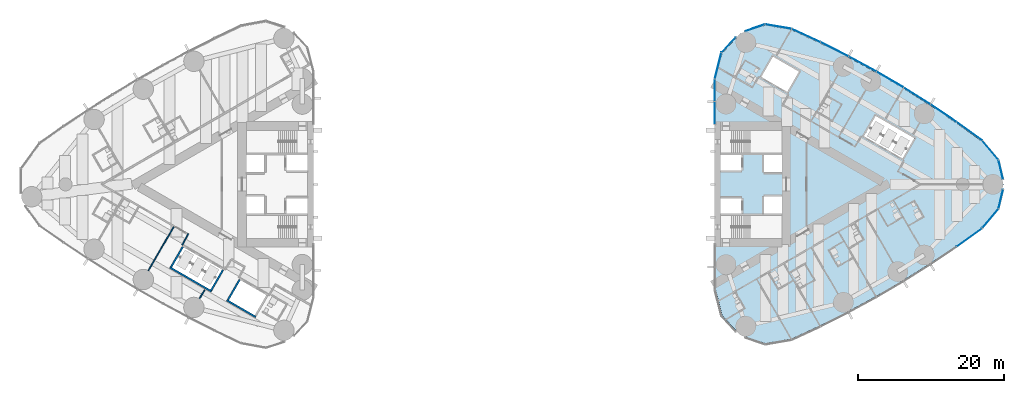
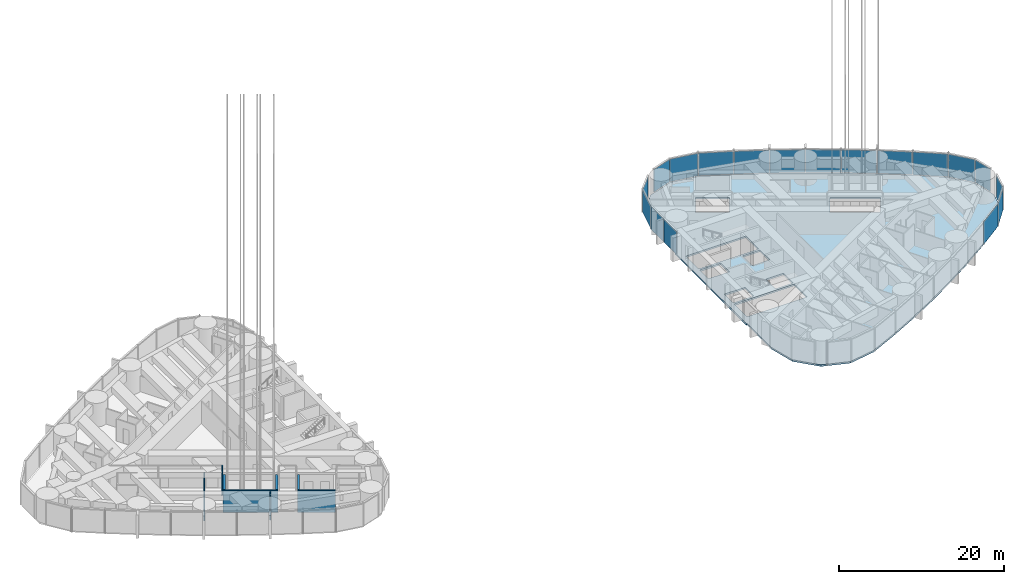
# One storey, part 11 of 21: 18 plates, 8 walls, 1 slab, 3 elements without a shape of their own.
"""IFC4 building model written with IfcOpenShell, lengths in metres."""

from ifc_helpers import new_model, si_unit, direction, frame, frame_2d, origin, origin_2d, place, context, subcontext, project, spatial, polyline, rectangle, outline, extrude, material, layer, layer_set, type_object, element, aggregate, save


model = new_model("IFC4")

# Units and contexts
model_context = context("Model", 3, precision=1e-05, world=origin(), true_north=direction((0.0, 1.0)))
body_context = subcontext(model_context, "Body", "Model", "MODEL_VIEW")
ifc_project = project(units=[si_unit("LENGTHUNIT", "METRE"), si_unit("AREAUNIT", "SQUARE_METRE"), si_unit("VOLUMEUNIT", "CUBIC_METRE"), si_unit("PLANEANGLEUNIT", "RADIAN"), si_unit("MASSUNIT", "GRAM", prefix="KILO")], contexts=[model_context])

# Site, building, storey
site_placement = place(None, origin())
site = spatial("IfcSite", under=ifc_project, at=site_placement, CompositionType="ELEMENT")
building_placement = place(site_placement, origin())
building = spatial("IfcBuilding", under=site, at=building_placement, Name="Lancet Gate Hotel", CompositionType="ELEMENT")
storey_placement = place(building_placement, frame((0.0, 0.0, 156.300048828125)))
storey = spatial("IfcBuildingStorey", under=building, at=storey_placement, Name="L41", CompositionType="ELEMENT", Elevation=156.300048828125)

# Slab
ifc_material_1 = material(Name="Concrete C50/60", Category="concrete")
ifc_layer_1 = layer(ifc_material_1, 0.25)
ifc_layer_set_1 = layer_set([ifc_layer_1], Name="Floor slab 250")
slab_type = type_object("IfcSlabType", Name="Floor slab 250", PredefinedType="FLOOR", material=ifc_layer_set_1)
slab_placement = place(storey_placement, frame((0.0, 0.0, -0.25)))
element("IfcSlab", 1, at=slab_placement, inside=storey, type_object=slab_type, Name="T2 L41 floor slab", PredefinedType="FLOOR", context=body_context, shape_type="SweptSolid", body=[
    extrude(outline(polyline([(27.5, -8.60009765625), (27.6201171875, -8.60009765625), (27.6201171875, -14.450439453125), (28.517822265625, -17.9853515625), (30.98291015625, -20.65185546875), (34.421875, -21.819091796875), (38.01513671875, -21.201171875), (41.9296875, -19.383056640625), (45.796875, -17.435302734375), (49.6005859375, -15.36572265625), (53.336669921875, -13.1767578125), (57.00146484375, -10.87060546875), (60.591552734375, -8.44921875), (64.092041015625, -5.9228515625), (66.283447265625, -3.307373046875), (67.06640625, 0.0), (66.283447265625, 3.307373046875), (64.092041015625, 5.9228515625), (60.591552734375, 8.44921875), (57.00146484375, 10.87060546875), (53.336669921875, 13.1767578125), (49.6005859375, 15.36572265625), (45.796875, 17.435302734375), (41.9296875, 19.383056640625), (38.01513671875, 21.201171875), (34.421875, 21.819091796875), (30.98291015625, 20.65185546875), (28.517822265625, 17.9853515625), (27.6201171875, 14.450439453125), (27.6201171875, 8.60009765625), (27.5, 8.60009765625), (27.5, 8.199951171875), (27.5, -8.199951171875), (27.5, -8.60009765625)]), holes=[polyline([(36.699951171875, -7.39990234375), (36.699951171875, -4.300048828125), (28.300048828125, -4.300048828125), (28.300048828125, -7.39990234375), (36.699951171875, -7.39990234375)]), polyline([(28.300048828125, -4.0), (31.199951171875, -4.0), (31.199951171875, -1.89990234375), (28.300048828125, -1.89990234375), (28.300048828125, -4.0)]), polyline([(34.25, -4.0), (36.699951171875, -4.0), (36.699951171875, -1.64990234375), (34.25, -1.64990234375), (34.25, -4.0)]), polyline([(36.699951171875, 1.64990234375), (36.699951171875, 4.0), (34.25, 4.0), (34.25, 1.64990234375), (36.699951171875, 1.64990234375)]), polyline([(28.300048828125, 1.89990234375), (31.199951171875, 1.89990234375), (31.199951171875, 4.0), (28.300048828125, 4.0), (28.300048828125, 1.89990234375)]), polyline([(28.300048828125, 4.300048828125), (36.699951171875, 4.300048828125), (36.699951171875, 7.39990234375), (28.300048828125, 7.39990234375), (28.300048828125, 4.300048828125)]), polyline([(47.9609375, 6.60595703125), (53.242919921875, 3.555908203125), (54.843017578125, 6.326904296875), (49.56103515625, 9.376953125), (47.9609375, 6.60595703125)]), polyline([(33.887939453125, 14.73095703125), (37.43798828125, 12.680908203125), (39.0380859375, 15.451904296875), (35.488037109375, 17.501953125), (33.887939453125, 14.73095703125)])]), origin(), (0.0, 0.0, 1.0), 0.25),
])

# Curtain wall, plates
ifc_material_2 = material(Name="Aluminium curtain wall", Category="aluminium")
curtain_wall_type = type_object("IfcCurtainWallType", Name="Tower unitised curtain wall", PredefinedType="USERDEFINED", material=ifc_material_2)
curtain_wall_1_placement = place(storey_placement, origin())
curtain_wall_1 = element("IfcCurtainWall", 2, at=curtain_wall_1_placement, inside=storey, type_object=curtain_wall_type, Name="T2 L41 curtain wall 2", ObjectType="UNITISED CURTAIN WALL", PredefinedType="USERDEFINED")
ifc_material_3 = material(Name="Glass double glazed unit 8-16-6", Category="glass")
ifc_layer_2 = layer(ifc_material_3, 0.030029296875)
ifc_layer_set_2 = layer_set([ifc_layer_2], Name="Vision panel double glazed")
plate_type = type_object("IfcPlateType", Name="Vision panel double glazed", PredefinedType="CURTAIN_PANEL", material=ifc_layer_set_2)
plate_1_placement = place(storey_placement, frame((62.417236328125, -7.279541015625, 0.0), z_axis=(0.0, 0.0, 1.0), x_axis=(0.810891442127, 0.585196607206, 0.0)))
plate_1 = element("IfcPlate", 3, at=plate_1_placement, type_object=plate_type, Name="T2 L41 curtain wall 2 panel 9", PredefinedType="CURTAIN_PANEL", context=body_context, shape_type="SweptSolid", body=[
    extrude(rectangle(XDim=4.26904296875, YDim=0.030029296875, at=origin_2d()), origin(), (0.0, 0.0, 1.0), 3.35009765625),
])
plate_2_placement = place(storey_placement, frame((65.283935546875, -4.68701171875, 0.0), z_axis=(0.0, 0.0, 1.0), x_axis=(0.642198636854, 0.766538264422, 0.0)))
plate_2 = element("IfcPlate", 4, at=plate_2_placement, type_object=plate_type, Name="T2 L41 curtain wall 2 panel 10", PredefinedType="CURTAIN_PANEL", context=body_context, shape_type="SweptSolid", body=[
    extrude(rectangle(XDim=3.390380859375, YDim=0.030029296875, at=origin_2d()), origin(), (0.0, 0.0, 1.0), 3.35009765625),
])
plate_3_placement = place(storey_placement, frame((66.710693359375, -2.0234375, 0.0), z_axis=(0.0, 0.0, 1.0), x_axis=(0.230366568544, 0.973103922558, 0.0)))
plate_3 = element("IfcPlate", 5, at=plate_3_placement, type_object=plate_type, Name="T2 L41 curtain wall 2 panel 11", PredefinedType="CURTAIN_PANEL", context=body_context, shape_type="SweptSolid", body=[
    extrude(rectangle(XDim=2.687255859375, YDim=0.030029296875, at=origin_2d()), origin(), (0.0, 0.0, 1.0), 3.35009765625),
])
aggregate(curtain_wall_1, [plate_1, plate_2, plate_3])

curtain_wall_2_placement = place(storey_placement, origin())
curtain_wall_2 = element("IfcCurtainWall", 6, at=curtain_wall_2_placement, inside=storey, type_object=curtain_wall_type, Name="T2 L41 curtain wall 3", ObjectType="UNITISED CURTAIN WALL", PredefinedType="USERDEFINED")
plate_4_placement = place(storey_placement, frame((66.710693359375, 2.0234375, 0.0), z_axis=(0.0, 0.0, 1.0), x_axis=(-0.230366568544, 0.973103922558, 0.0)))
plate_4 = element("IfcPlate", 7, at=plate_4_placement, type_object=plate_type, Name="T2 L41 curtain wall 3 panel 1", PredefinedType="CURTAIN_PANEL", context=body_context, shape_type="SweptSolid", body=[
    extrude(rectangle(XDim=2.687255859375, YDim=0.030029296875, at=origin_2d()), origin(), (0.0, 0.0, 1.0), 3.35009765625),
])
plate_5_placement = place(storey_placement, frame((65.283935546875, 4.68701171875, 0.0), z_axis=(0.0, 0.0, 1.0), x_axis=(-0.642198636854, 0.766538264422, 0.0)))
plate_5 = element("IfcPlate", 8, at=plate_5_placement, type_object=plate_type, Name="T2 L41 curtain wall 3 panel 2", PredefinedType="CURTAIN_PANEL", context=body_context, shape_type="SweptSolid", body=[
    extrude(rectangle(XDim=3.390380859375, YDim=0.030029296875, at=origin_2d()), origin(), (0.0, 0.0, 1.0), 3.35009765625),
])
plate_6_placement = place(storey_placement, frame((62.417236328125, 7.279541015625, 0.0), z_axis=(0.0, 0.0, 1.0), x_axis=(-0.810891442127, 0.585196607206, 0.0)))
plate_6 = element("IfcPlate", 9, at=plate_6_placement, type_object=plate_type, Name="T2 L41 curtain wall 3 panel 3", PredefinedType="CURTAIN_PANEL", context=body_context, shape_type="SweptSolid", body=[
    extrude(rectangle(XDim=4.26904296875, YDim=0.030029296875, at=origin_2d()), origin(), (0.0, 0.0, 1.0), 3.35009765625),
])
plate_7_placement = place(storey_placement, frame((58.863525390625, 9.75927734375, 0.0), z_axis=(0.0, 0.0, 1.0), x_axis=(-0.829038793948, 0.559191092677, 0.0)))
plate_7 = element("IfcPlate", 10, at=plate_7_placement, type_object=plate_type, Name="T2 L41 curtain wall 3 panel 4", PredefinedType="CURTAIN_PANEL", context=body_context, shape_type="SweptSolid", body=[
    extrude(rectangle(XDim=4.26904296875, YDim=0.030029296875, at=origin_2d()), origin(), (0.0, 0.0, 1.0), 3.35009765625),
])
plate_8_placement = place(storey_placement, frame((55.233154296875, 12.125244140625, 0.0), z_axis=(0.0, 0.0, 1.0), x_axis=(-0.846352453444, 0.532623248225, 0.0)))
plate_8 = element("IfcPlate", 11, at=plate_8_placement, type_object=plate_type, Name="T2 L41 curtain wall 3 panel 5", PredefinedType="CURTAIN_PANEL", context=body_context, shape_type="SweptSolid", body=[
    extrude(rectangle(XDim=4.26904296875, YDim=0.030029296875, at=origin_2d()), origin(), (0.0, 0.0, 1.0), 3.35009765625),
])
plate_9_placement = place(storey_placement, frame((51.529296875, 14.374755859375, 0.0), z_axis=(0.0, 0.0, 1.0), x_axis=(-0.862815009772, 0.505519790822, 0.0)))
plate_9 = element("IfcPlate", 12, at=plate_9_placement, type_object=plate_type, Name="T2 L41 curtain wall 3 panel 6", PredefinedType="CURTAIN_PANEL", context=body_context, shape_type="SweptSolid", body=[
    extrude(rectangle(XDim=4.26904296875, YDim=0.030029296875, at=origin_2d()), origin(), (0.0, 0.0, 1.0), 3.35009765625),
])
plate_10_placement = place(storey_placement, frame((47.756103515625, 16.505859375, 0.0), z_axis=(0.0, 0.0, 1.0), x_axis=(-0.878409907967, 0.477907976063, 0.0)))
plate_10 = element("IfcPlate", 13, at=plate_10_placement, type_object=plate_type, Name="T2 L41 curtain wall 3 panel 7", PredefinedType="CURTAIN_PANEL", context=body_context, shape_type="SweptSolid", body=[
    extrude(rectangle(XDim=4.26904296875, YDim=0.030029296875, at=origin_2d()), origin(), (0.0, 0.0, 1.0), 3.35009765625),
])
plate_11_placement = place(storey_placement, frame((43.917236328125, 18.516357421875, 0.0), z_axis=(0.0, 0.0, 1.0), x_axis=(-0.893121465596, 0.449815570752, 0.0)))
plate_11 = element("IfcPlate", 14, at=plate_11_placement, type_object=plate_type, Name="T2 L41 curtain wall 3 panel 8", PredefinedType="CURTAIN_PANEL", context=body_context, shape_type="SweptSolid", body=[
    extrude(rectangle(XDim=4.26904296875, YDim=0.030029296875, at=origin_2d()), origin(), (0.0, 0.0, 1.0), 3.35009765625),
])
plate_12_placement = place(storey_placement, frame((40.0166015625, 20.40380859375, 0.0), z_axis=(0.0, 0.0, 1.0), x_axis=(-0.906934888522, 0.421270824982, 0.0)))
plate_12 = element("IfcPlate", 15, at=plate_12_placement, type_object=plate_type, Name="T2 L41 curtain wall 3 panel 9", PredefinedType="CURTAIN_PANEL", context=body_context, shape_type="SweptSolid", body=[
    extrude(rectangle(XDim=4.26904296875, YDim=0.030029296875, at=origin_2d()), origin(), (0.0, 0.0, 1.0), 3.35009765625),
])
plate_13_placement = place(storey_placement, frame((36.231689453125, 21.629638671875, 0.0), z_axis=(0.0, 0.0, 1.0), x_axis=(-0.985539649572, 0.169444973729, 0.0)))
plate_13 = element("IfcPlate", 16, at=plate_13_placement, type_object=plate_type, Name="T2 L41 curtain wall 3 panel 10", PredefinedType="CURTAIN_PANEL", context=body_context, shape_type="SweptSolid", body=[
    extrude(rectangle(XDim=3.62744140625, YDim=0.030029296875, at=origin_2d()), origin(), (0.0, 0.0, 1.0), 3.35009765625),
])
plate_14_placement = place(storey_placement, frame((33.02197265625, 21.470703125, 0.0), z_axis=(0.0, 0.0, 1.0), x_axis=(-0.946952368511, -0.321373943827, 0.0)))
plate_14 = element("IfcPlate", 17, at=plate_14_placement, type_object=plate_type, Name="T2 L41 curtain wall 3 panel 11", PredefinedType="CURTAIN_PANEL", context=body_context, shape_type="SweptSolid", body=[
    extrude(rectangle(XDim=2.871337890625, YDim=0.030029296875, at=origin_2d()), origin(), (0.0, 0.0, 1.0), 3.35009765625),
])
aggregate(curtain_wall_2, [plate_4, plate_5, plate_6, plate_7, plate_8, plate_9, plate_10, plate_11, plate_12, plate_13, plate_14])

curtain_wall_3_placement = place(storey_placement, origin())
curtain_wall_3 = element("IfcCurtainWall", 18, at=curtain_wall_3_placement, inside=storey, type_object=curtain_wall_type, Name="T2 L41 curtain wall 4", ObjectType="UNITISED CURTAIN WALL", PredefinedType="USERDEFINED")
plate_15_placement = place(storey_placement, frame((29.4052734375, 19.122314453125, 0.0), z_axis=(0.0, 0.0, 1.0), x_axis=(-0.67883123083, -0.734294327943, 0.0)))
plate_15 = element("IfcPlate", 19, at=plate_15_placement, type_object=plate_type, Name="T2 L41 curtain wall 4 panel 1", PredefinedType="CURTAIN_PANEL", context=body_context, shape_type="SweptSolid", body=[
    extrude(rectangle(XDim=2.87060546875, YDim=0.030029296875, at=origin_2d()), origin(), (0.0, 0.0, 1.0), 3.35009765625),
])
plate_16_placement = place(storey_placement, frame((27.95458984375, 16.2548828125, 0.0), z_axis=(0.0, 0.0, 1.0), x_axis=(-0.246166705764, -0.969227503207, 0.0)))
plate_16 = element("IfcPlate", 20, at=plate_16_placement, type_object=plate_type, Name="T2 L41 curtain wall 4 panel 2", PredefinedType="CURTAIN_PANEL", context=body_context, shape_type="SweptSolid", body=[
    extrude(rectangle(XDim=3.62744140625, YDim=0.030029296875, at=origin_2d()), origin(), (0.0, 0.0, 1.0), 3.35009765625),
])
plate_17_placement = place(storey_placement, frame((27.5, 12.899169921875, 0.0), z_axis=(0.0, 0.0, 1.0), x_axis=(0.0, -1.0, 0.0)))
plate_17 = element("IfcPlate", 21, at=plate_17_placement, type_object=plate_type, Name="T2 L41 curtain wall 4 panel 3", PredefinedType="CURTAIN_PANEL", context=body_context, shape_type="SweptSolid", body=[
    extrude(rectangle(XDim=3.06787109375, YDim=0.030029296875, at=origin_2d()), origin(), (0.0, 0.0, 1.0), 3.35009765625),
])
plate_18_placement = place(storey_placement, frame((27.5, 9.766357421875, 0.0), z_axis=(0.0, 0.0, 1.0), x_axis=(0.0, -1.0, 0.0)))
plate_18 = element("IfcPlate", 22, at=plate_18_placement, type_object=plate_type, Name="T2 L41 curtain wall 4 panel 4", PredefinedType="CURTAIN_PANEL", context=body_context, shape_type="SweptSolid", body=[
    extrude(rectangle(XDim=3.06787109375, YDim=0.030029296875, at=origin_2d()), origin(), (0.0, 0.0, 1.0), 3.35009765625),
])
aggregate(curtain_wall_3, [plate_15, plate_16, plate_17, plate_18])

# Walls
ifc_material_4 = material(Name="Gypsum board partition")
ifc_layer_3 = layer(ifc_material_4, 0.25)
ifc_layer_set_3 = layer_set([ifc_layer_3], Name="Lift shaft partition 250")
wall_type_1 = type_object("IfcWallType", Name="Lift shaft partition 250", PredefinedType="PARTITIONING", material=ifc_layer_set_3)
wall_1_placement = place(storey_placement, frame((-35.42041015625, -18.185791015625, 0.0), z_axis=(0.0, 0.0, 1.0), x_axis=(-0.865990227814, 0.50006092162, 0.0)))
element("IfcWall", 23, at=wall_1_placement, inside=storey, type_object=wall_type_1, Name="T1 lift shaft wall EX L41", PredefinedType="PARTITIONING", context=body_context, shape_type="SweptSolid", body=[
    extrude(rectangle(XDim=4.599609375, YDim=0.25, at=frame_2d((2.2998046875, 0.0))), origin(), (0.0, 0.0, 1.0), 3.25),
])
wall_2_placement = place(storey_placement, frame((-37.6328125, -13.068115234375, 0.0), z_axis=(0.0, 0.0, 1.0), x_axis=(-0.499872130319, -0.866099216793, 0.0)))
element("IfcWall", 24, at=wall_2_placement, inside=storey, type_object=wall_type_1, Name="T1 lift shaft wall EX L41", PredefinedType="PARTITIONING", context=body_context, shape_type="SweptSolid", body=[
    extrude(rectangle(XDim=3.200439453125, YDim=0.25, at=frame_2d((1.60009765625, 0.0))), origin(), (0.0, 0.0, 1.0), 3.25),
])
wall_3_placement = place(storey_placement, frame((-41.482421875, -14.685791015625, 0.0), z_axis=(0.0, 0.0, 1.0), x_axis=(-0.86603344179, 0.499986077507, 0.0)))
element("IfcWall", 25, at=wall_3_placement, inside=storey, type_object=wall_type_1, Name="T1 lift shaft wall HL L41", PredefinedType="PARTITIONING", context=body_context, shape_type="SweptSolid", body=[
    extrude(rectangle(XDim=6.600341796875, YDim=0.25, at=frame_2d((3.30029296875, 0.0))), origin(), (0.0, 0.0, 1.0), 3.25),
])
for number, where, z_axis, x_axis, name in (
    (26, (-39.92822265625, -11.742919921875, 0.0), (0.0, 0.0, 1.0), (-0.499929347863, -0.866066190972, 0.0), "T1 lift shaft wall HL L41"),
    (27, (-45.427734375, -8.568115234375, 0.0), (0.0, 0.0, 1.0), (-0.499929347863, -0.866066190972, 0.0), "T1 lift shaft wall HL L41"),
):
    element("IfcWall", number, at=place(storey_placement, frame(where, z_axis=z_axis, x_axis=x_axis)), inside=storey, type_object=wall_type_1, Name=name, PredefinedType="PARTITIONING", context=body_context, shape_type="SweptSolid", body=[
        extrude(rectangle(XDim=3.20068359375, YDim=0.25, at=frame_2d((1.600341796875, 0.0))), origin(), (0.0, 0.0, 1.0), 3.25),
    ])
ifc_material_5 = material(Name="Gypsum board partition")
ifc_layer_4 = layer(ifc_material_5, 0.14990234375)
ifc_layer_set_4 = layer_set([ifc_layer_4], Name="Party wall 150")
wall_type_2 = type_object("IfcWallType", Name="Party wall 150", PredefinedType="PARTITIONING", material=ifc_layer_set_4)
wall_4_placement = place(storey_placement, frame((-46.6787109375, -5.8251953125, 0.0), z_axis=(0.0, 0.0, 1.0), x_axis=(-0.500006839597, -0.866021454905, 0.0)))
element("IfcWall", 28, at=wall_4_placement, inside=storey, type_object=wall_type_2, Name="T1 party wall 150 L41", PredefinedType="PARTITIONING", context=body_context, shape_type="SweptSolid", body=[
    extrude(rectangle(XDim=6.9111328125, YDim=0.14990234375, at=frame_2d((3.45556640625, 0.0))), origin(), (0.0, 0.0, 1.0), 2.300048828125),
])
wall_5_placement = place(storey_placement, frame((-42.429443359375, -14.45654296875, 0.0), z_axis=(0.0, 0.0, 1.0), x_axis=(-0.5000578829, -0.865991982497, 0.0)))
element("IfcWall", 29, at=wall_5_placement, inside=storey, type_object=wall_type_2, Name="T1 party wall 150 L41", PredefinedType="PARTITIONING", context=body_context, shape_type="SweptSolid", body=[
    extrude(rectangle(XDim=1.406982421875, YDim=0.14990234375, at=frame_2d((0.70361328125, 0.0))), origin(), (0.0, 0.0, 1.0), 3.25),
])
ifc_material_6 = material(Name="Gypsum board partition")
ifc_layer_5 = layer(ifc_material_6, 0.14990234375)
ifc_layer_set_5 = layer_set([ifc_layer_5], Name="Service room wall 150")
wall_type_3 = type_object("IfcWallType", Name="Service room wall 150", PredefinedType="PARTITIONING", material=ifc_layer_set_5)
wall_6_placement = place(storey_placement, frame((-44.652099609375, -6.764404296875, 0.0), z_axis=(0.0, 0.0, 1.0), x_axis=(-0.485424724123, -0.874278466629, 0.0)))
element("IfcWall", 30, at=wall_6_placement, inside=storey, type_object=wall_type_3, Name="T1 service room wall 150 L41", PredefinedType="PARTITIONING", context=body_context, shape_type="SweptSolid", body=[
    extrude(rectangle(XDim=1.80517578125, YDim=0.14990234375, at=frame_2d((0.902587890625, 0.0))), origin(), (0.0, 0.0, 1.0), 3.25),
])

save(model, "model.ifc")
